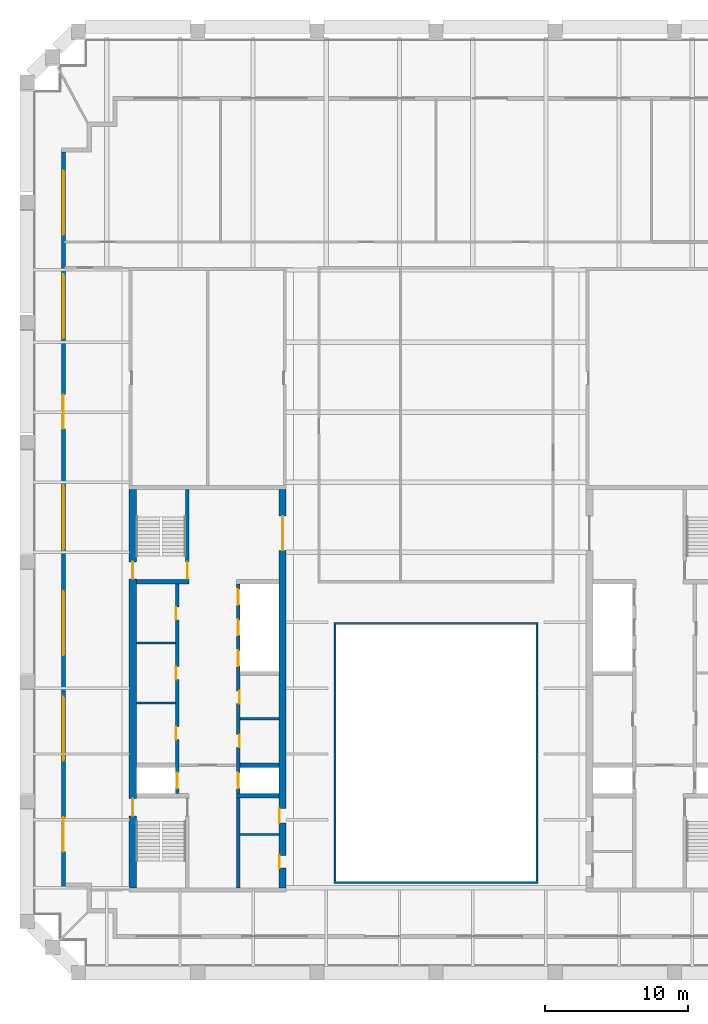
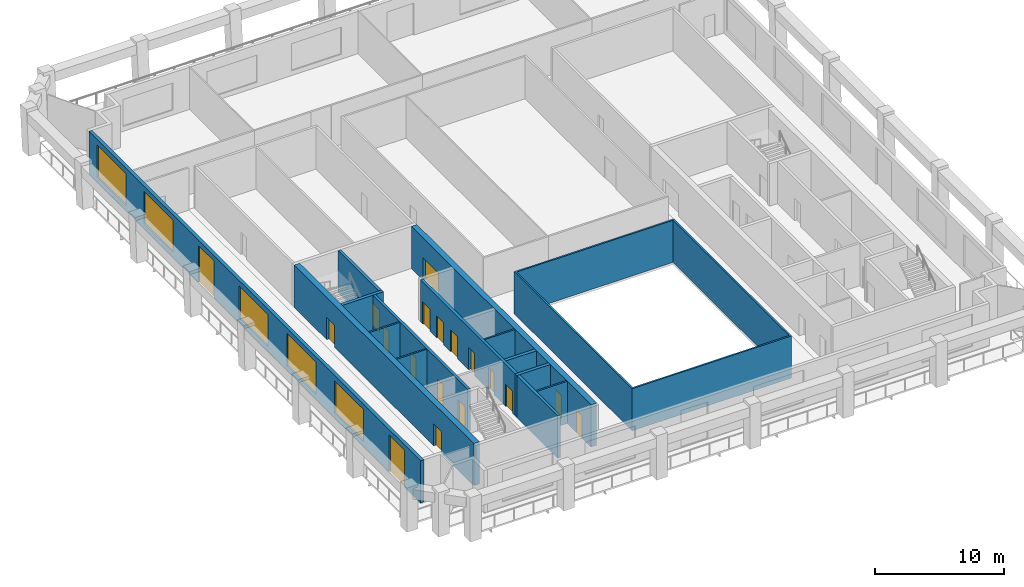
# One storey, part 3 of 8: 18 doors, 14 walls, 5 windows, 23 openings.
"""IFC4 building model written with IfcOpenShell, lengths in metres."""

import ifcopenshell
import ifcopenshell.guid

model = None  # the IFC model being written
_history = None  # IfcOwnerHistory: only IFC2X3 demands one
_inside = {}  # id of a spatial element -> (the spatial element, [elements in it])
_under = {}  # id of a project, library or spatial element -> (it, [spatial elements below it])
_declared = {}  # id of a project -> (the project, [libraries it declares])
_typed = {}  # id of a type object -> (the type object, [elements of that type])
_made_of = {}  # id of a material, layer set ... -> (it, [elements and type objects made of it])


def new_model(schema):
    """Start an empty IFC model of exactly this schema.

    Asked for "IFC4X3", IfcOpenShell would pick the latest addendum, in which some entities
    have other attributes; the version numbers below select the first issue.
    IFC2X3 requires an IfcOwnerHistory on every rooted entity: one is made here for all.
    """
    global model, _history
    if schema == "IFC4X3":
        model = ifcopenshell.file(schema_version=(4, 3, 0, 0))
    else:
        model = ifcopenshell.file(schema=schema)
    _inside.clear()
    _under.clear()
    _declared.clear()
    _typed.clear()
    _made_of.clear()
    _history = None
    if model.schema == "IFC2X3":
        org = make("IfcOrganization", Name="unknown")
        user = make(
            "IfcPersonAndOrganization",
            ThePerson=make("IfcPerson", FamilyName="unknown"),
            TheOrganization=org,
        )
        app = make(
            "IfcApplication",
            ApplicationDeveloper=org,
            Version="unknown",
            ApplicationFullName="unknown",
            ApplicationIdentifier="unknown",
        )
        _history = make(
            "IfcOwnerHistory",
            OwningUser=user,
            OwningApplication=app,
            ChangeAction="ADDED",
            CreationDate=0,
        )
    return model


def make(cls, **values):
    """One entity of the class cls with the attributes given. An attribute that is None is left unset."""
    return model.create_entity(
        cls, **{name: value for name, value in values.items() if value is not None}
    )


def rooted(cls, **values):
    """An entity with a GlobalId (a new one), such as an element, a storey or a relation."""
    return make(cls, GlobalId=ifcopenshell.guid.new(), OwnerHistory=_history, **values)


def si_unit(unit_type, name, prefix=None):
    """IfcSIUnit, for example si_unit("LENGTHUNIT", "METRE", prefix="MILLI")."""
    return make("IfcSIUnit", UnitType=unit_type, Prefix=prefix, Name=name)


def assignment(units):
    """IfcUnitAssignment: the units of a project."""
    return None if units is None else make("IfcUnitAssignment", Units=units)


def point(xyz):
    """IfcCartesianPoint."""
    return None if xyz is None else make("IfcCartesianPoint", Coordinates=xyz)


def direction(xyz):
    """IfcDirection."""
    return None if xyz is None else make("IfcDirection", DirectionRatios=xyz)


def frame(location, z_axis=None, x_axis=None):
    """IfcAxis2Placement3D, a coordinate frame: its origin and axes. An axis left out is left unset."""
    return make(
        "IfcAxis2Placement3D",
        Location=point(location),
        Axis=direction(z_axis),
        RefDirection=direction(x_axis),
    )


def frame_2d(location, x_axis=None):
    """IfcAxis2Placement2D, a coordinate frame in the plane: its origin and x axis."""
    return make(
        "IfcAxis2Placement2D", Location=point(location), RefDirection=direction(x_axis)
    )


def origin():
    """The frame at (0, 0, 0) with its axes left unset."""
    return frame((0.0, 0.0, 0.0))


def place(relative_to, where):
    """IfcLocalPlacement: puts the frame where relative to a parent placement (None: the world)."""
    return make(
        "IfcLocalPlacement", PlacementRelTo=relative_to, RelativePlacement=where
    )


def context(
    kind, dimensions, precision=None, world=None, true_north=None, identifier=None
):
    """IfcGeometricRepresentationContext, for example the 3D "Model" context."""
    return make(
        "IfcGeometricRepresentationContext",
        ContextIdentifier=identifier,
        ContextType=kind,
        CoordinateSpaceDimension=dimensions,
        Precision=precision,
        WorldCoordinateSystem=world,
        TrueNorth=true_north,
    )


def subcontext(parent, identifier, kind, view, scale=None):
    """IfcGeometricRepresentationSubContext, for example "Body" below "Model"."""
    return make(
        "IfcGeometricRepresentationSubContext",
        ContextIdentifier=identifier,
        ContextType=kind,
        ParentContext=parent,
        TargetScale=scale,
        TargetView=view,
    )


def project(units=None, contexts=None):
    """IfcProject with its units and contexts."""
    return rooted(
        "IfcProject",
        Name="project",
        RepresentationContexts=contexts,
        UnitsInContext=assignment(units),
    )


def spatial(cls, under=None, at=None, **own):
    """A site, building, storey or space (cls), placed at a placement, below another one or the project."""
    s = rooted(cls, ObjectPlacement=at, **own)
    if under is not None:
        _under.setdefault(under.id(), (under, []))[1].append(s)
    return s


def polyline(points):
    """IfcPolyline through the points."""
    return make("IfcPolyline", Points=[point(p) for p in points])


def profile(cls, at=None, kind="AREA", **sizes):
    """A parametric profile (cls). Its sizes go by their IFC names, for example OverallWidth=200.0."""
    return make(cls, ProfileType=kind, Position=at, **sizes)


def rectangle(**sizes):
    """IfcRectangleProfileDef."""
    return profile("IfcRectangleProfileDef", **sizes)


def outline(outer, holes=None, kind="AREA"):
    """IfcArbitraryClosedProfileDef: a profile drawn as a closed curve; with holes, ...WithVoids."""
    if holes is None:
        return make("IfcArbitraryClosedProfileDef", ProfileType=kind, OuterCurve=outer)
    return make(
        "IfcArbitraryProfileDefWithVoids",
        ProfileType=kind,
        OuterCurve=outer,
        InnerCurves=holes,
    )


def extrude(swept, where, along, depth):
    """IfcExtrudedAreaSolid: the profile swept, set in the frame where, extruded along a direction by depth."""
    return make(
        "IfcExtrudedAreaSolid",
        SweptArea=swept,
        Position=where,
        ExtrudedDirection=direction(along),
        Depth=depth,
    )


def shape(context_of_items, identifier, shape_type, items):
    """IfcShapeRepresentation: the items that make up one representation, for example the "Body"."""
    return make(
        "IfcShapeRepresentation",
        ContextOfItems=context_of_items,
        RepresentationIdentifier=identifier,
        RepresentationType=shape_type,
        Items=items,
    )


def material(Name=None, Category=None):
    """IfcMaterial."""
    return make("IfcMaterial", Name=Name, Category=Category)


def layer(
    of_material, thickness, ventilated=None, Name=None, Category=None, Priority=None
):
    """IfcMaterialLayer: one layer of a wall or slab, of a material (None: an air gap)."""
    return make(
        "IfcMaterialLayer",
        Material=of_material,
        LayerThickness=thickness,
        IsVentilated=ventilated,
        Name=Name,
        Category=Category,
        Priority=Priority,
    )


def layer_set(layers, Name=None):
    """IfcMaterialLayerSet."""
    return make("IfcMaterialLayerSet", MaterialLayers=layers, LayerSetName=Name)


def made_of(thing, what):
    """Note that an element or type object is made of a material, layer set ...; save() writes the relation."""
    if what is not None:
        _made_of.setdefault(what.id(), (what, []))[1].append(thing)
    return thing


def type_object(cls, material=None, **own):
    """A type object (cls), such as IfcWallType, which elements share."""
    return made_of(rooted(cls, **own), material)


def element(
    cls,
    number,
    at=None,
    inside=None,
    cuts=None,
    type_object=None,
    material=None,
    context=None,
    identifier="Body",
    shape_type=None,
    held_by="IfcProductDefinitionShape",
    body=None,
    shapes=None,
    **own,
):
    """One element of the class cls, such as IfcWall. Its Tag is "e" and its number.

    at: its placement. inside: the storey or other place that contains it. cuts: it is an
    opening in that element (IfcRelVoidsElement). A single representation is given by context,
    identifier, shape_type and body (its items); several are given by shapes. held_by: the class
    of the entity that holds the representations. save() writes the other relations.
    """
    e = rooted(cls, Tag="e%d" % number, ObjectPlacement=at, **own)
    if body is not None:
        shapes = [shape(context, identifier, shape_type, body)]
    if shapes is not None:
        e.Representation = make(held_by, Representations=shapes)
    if inside is not None:
        _inside.setdefault(inside.id(), (inside, []))[1].append(e)
    if cuts is not None:
        rooted(
            "IfcRelVoidsElement", RelatingBuildingElement=cuts, RelatedOpeningElement=e
        )
    if type_object is not None:
        _typed.setdefault(type_object.id(), (type_object, []))[1].append(e)
    return made_of(e, material)


def fill(opening, filler):
    """IfcRelFillsElement: the door or window that sits in an opening."""
    return rooted(
        "IfcRelFillsElement",
        RelatingOpeningElement=opening,
        RelatedBuildingElement=filler,
    )


def aggregate(whole, parts):
    """IfcRelAggregates: a whole, such as a stair, and the parts it consists of."""
    return rooted("IfcRelAggregates", RelatingObject=whole, RelatedObjects=parts)


def save(model, path):
    """Write the relations noted so far, then the file.

    IfcRelAggregates (storeys below a building ...), IfcRelContainedInSpatialStructure (elements
    in a storey), IfcRelDefinesByType, IfcRelAssociatesMaterial and IfcRelDeclares: one each for
    every whole, place, type object, material and project.
    """
    for whole, parts in _under.values():
        aggregate(whole, parts)
    for where, things in _inside.values():
        rooted(
            "IfcRelContainedInSpatialStructure",
            RelatedElements=things,
            RelatingStructure=where,
        )
    for kind, things in _typed.values():
        rooted("IfcRelDefinesByType", RelatedObjects=things, RelatingType=kind)
    for what, things in _made_of.values():
        rooted("IfcRelAssociatesMaterial", RelatedObjects=things, RelatingMaterial=what)
    for by, libraries in _declared.values():
        rooted("IfcRelDeclares", RelatingContext=by, RelatedDefinitions=libraries)
    model.write(path)


model = new_model("IFC4")

# Units and contexts
model_context = context("Model", 3, precision=1e-05, world=origin(), true_north=direction((0.0, 1.0)))
body_context = subcontext(model_context, "Body", "Model", "MODEL_VIEW")
ifc_project = project(units=[si_unit("LENGTHUNIT", "METRE"), si_unit("AREAUNIT", "SQUARE_METRE"), si_unit("VOLUMEUNIT", "CUBIC_METRE"), si_unit("PLANEANGLEUNIT", "RADIAN"), si_unit("MASSUNIT", "GRAM", prefix="KILO")], contexts=[model_context])

# Site, building, storey
site_placement = place(None, origin())
site = spatial("IfcSite", under=ifc_project, at=site_placement, CompositionType="ELEMENT")
building_placement = place(site_placement, origin())
building = spatial("IfcBuilding", under=site, at=building_placement, Name="Ogive Exchange Tower", CompositionType="ELEMENT")
storey_placement = place(building_placement, frame((0.0, 0.0, 325.800048828125)))
storey = spatial("IfcBuildingStorey", under=building, at=storey_placement, Name="L71", CompositionType="ELEMENT", Elevation=325.800048828125)

# Walls
ifc_material_1 = material(Name="Gypsum board partition")
ifc_layer_1 = layer(ifc_material_1, 0.14990234375)
ifc_layer_set_1 = layer_set([ifc_layer_1], Name="Core room partition 150 gypsum")
wall_type_1 = type_object("IfcWallType", Name="Core room partition 150 gypsum", PredefinedType="PARTITIONING", material=ifc_layer_set_1)
for number, where, z_axis, x_axis, name in (
    (1, (-21.0, 10.5, 0.0), (0.0, 0.0, 1.0), (1.0, 0.0, 0.0), "W row A bay partition 1-1"),
    (2, (-21.0, 14.699951171875, 0.0), (0.0, 0.0, 1.0), (1.0, 0.0, 0.0), "W row A bay partition 1-2"),
    (3, (-13.75, 9.39990234375, 0.0), (0.0, 0.0, 1.0), (1.0, 0.0, 0.0), "W row B bay partition 1-1"),
    (4, (-13.75, 1.300048828125, 0.0), (0.0, 0.0, 1.0), (1.0, 0.0, 0.0), "W south room partition"),
):
    element("IfcWall", number, at=place(storey_placement, frame(where, z_axis=z_axis, x_axis=x_axis)), inside=storey, type_object=wall_type_1, Name=name, PredefinedType="PARTITIONING", context=body_context, shape_type="SweptSolid", body=[
        extrude(rectangle(XDim=2.75, YDim=0.14990234375, at=frame_2d((1.375, 0.0))), origin(), (0.0, 0.0, 1.0), 4.0),
    ])
ifc_material_2 = material(Name="Fire-resisting glass in steel frame", Category="steel")
ifc_layer_2 = layer(ifc_material_2, 0.14990234375)
ifc_layer_set_2 = layer_set([ifc_layer_2], Name="Fire-rated glazed wall 150")
wall_type_2 = type_object("IfcWallType", Name="Fire-rated glazed wall 150", PredefinedType="STANDARD", material=ifc_layer_set_2)
wall_1_placement = place(storey_placement, origin())
element("IfcWall", 5, at=wall_1_placement, inside=storey, type_object=wall_type_2, Name="Nave enclosure wall", PredefinedType="STANDARD", context=body_context, shape_type="SweptSolid", body=[
    extrude(outline(polyline([(-7.14990234375, -2.14990234375), (7.14990234375, -2.14990234375), (7.14990234375, 16.14990234375), (-7.14990234375, 16.14990234375), (-7.14990234375, -2.14990234375)]), holes=[polyline([(-7.0, -2.0), (-7.0, 16.0), (7.0, 16.0), (7.0, -2.0), (-7.0, -2.0)])]), origin(), (0.0, 0.0, 1.0), 4.0),
])

# Wall, openings, doors, windows
ifc_material_3 = material(Name="Precast concrete C40/50", Category="concrete")
ifc_layer_3 = layer(ifc_material_3, 0.300048828125)
ifc_layer_set_3 = layer_set([ifc_layer_3], Name="Limestone-faced wall 300")
wall_type_3 = type_object("IfcWallType", Name="Limestone-faced wall 300", PredefinedType="STANDARD", material=ifc_layer_set_3)
wall_2_placement = place(storey_placement, frame((-26.10009765625, 49.10009765625, 0.0), z_axis=(0.0, 0.0, 1.0), x_axis=(0.0, -1.0, 0.0)))
wall_2 = element("IfcWall", 6, at=wall_2_placement, inside=storey, type_object=wall_type_3, Name="External wall W4", PredefinedType="STANDARD", context=body_context, shape_type="SweptSolid", body=[
    extrude(rectangle(XDim=51.5, YDim=0.300048828125, at=frame_2d((25.75, 0.0))), origin(), (0.0, 0.0, 1.0), 4.0),
])
opening_1_placement = place(wall_2_placement, frame((1.300048828125, 0.0, 0.449951171875)))
opening_1 = element("IfcOpeningElement", 7, at=opening_1_placement, cuts=wall_2, Name="Opening W1", PredefinedType="OPENING", context=body_context, shape_type="SweptSolid", body=[
    extrude(rectangle(XDim=4.5, YDim=3.050048828125, at=frame_2d((2.25, 1.52490234375))), frame((0.0, 0.159912109375, 0.0), z_axis=(0.0, -1.0, 0.0), x_axis=(1.0, 0.0, 0.0)), (0.0, 0.0, 1.0), 0.320068359375),
])
opening_2_placement = place(wall_2_placement, frame((8.550048828125, 0.0, 0.449951171875)))
opening_2 = element("IfcOpeningElement", 8, at=opening_2_placement, cuts=wall_2, Name="Opening W1", PredefinedType="OPENING", context=body_context, shape_type="SweptSolid", body=[
    extrude(rectangle(XDim=4.5, YDim=3.050048828125, at=frame_2d((2.25, 1.52490234375))), frame((0.0, 0.159912109375, 0.0), z_axis=(0.0, -1.0, 0.0), x_axis=(1.0, 0.0, 0.0)), (0.0, 0.0, 1.0), 0.320068359375),
])
opening_3_placement = place(wall_2_placement, frame((17.0, 0.0, 0.0)))
opening_3 = element("IfcOpeningElement", 9, at=opening_3_placement, cuts=wall_2, Name="Opening D1", PredefinedType="OPENING", context=body_context, shape_type="SweptSolid", body=[
    extrude(rectangle(XDim=2.39990234375, YDim=3.5, at=frame_2d((1.199951171875, 1.75))), frame((0.0, 0.159912109375, 0.0), z_axis=(0.0, -1.0, 0.0), x_axis=(1.0, 0.0, 0.0)), (0.0, 0.0, 1.0), 0.320068359375),
])
opening_4_placement = place(wall_2_placement, frame((23.35009765625, 0.0, 0.449951171875)))
opening_4 = element("IfcOpeningElement", 10, at=opening_4_placement, cuts=wall_2, Name="Opening W1", PredefinedType="OPENING", context=body_context, shape_type="SweptSolid", body=[
    extrude(rectangle(XDim=4.5, YDim=3.050048828125, at=frame_2d((2.25, 1.52490234375))), frame((0.0, 0.159912109375, 0.0), z_axis=(0.0, -1.0, 0.0), x_axis=(1.0, 0.0, 0.0)), (0.0, 0.0, 1.0), 0.320068359375),
])
opening_5_placement = place(wall_2_placement, frame((30.75, 0.0, 0.449951171875)))
opening_5 = element("IfcOpeningElement", 11, at=opening_5_placement, cuts=wall_2, Name="Opening W1", PredefinedType="OPENING", context=body_context, shape_type="SweptSolid", body=[
    extrude(rectangle(XDim=4.5, YDim=3.050048828125, at=frame_2d((2.25, 1.52490234375))), frame((0.0, 0.159912109375, 0.0), z_axis=(0.0, -1.0, 0.0), x_axis=(1.0, 0.0, 0.0)), (0.0, 0.0, 1.0), 0.320068359375),
])
opening_6_placement = place(wall_2_placement, frame((38.14990234375, 0.0, 0.449951171875)))
opening_6 = element("IfcOpeningElement", 12, at=opening_6_placement, cuts=wall_2, Name="Opening W1", PredefinedType="OPENING", context=body_context, shape_type="SweptSolid", body=[
    extrude(rectangle(XDim=4.5, YDim=3.050048828125, at=frame_2d((2.25, 1.52490234375))), frame((0.0, 0.159912109375, 0.0), z_axis=(0.0, -1.0, 0.0), x_axis=(1.0, 0.0, 0.0)), (0.0, 0.0, 1.0), 0.320068359375),
])
opening_7_placement = place(wall_2_placement, frame((46.60009765625, 0.0, 0.0)))
opening_7 = element("IfcOpeningElement", 13, at=opening_7_placement, cuts=wall_2, Name="Opening D1", PredefinedType="OPENING", context=body_context, shape_type="SweptSolid", body=[
    extrude(rectangle(XDim=2.39990234375, YDim=3.5, at=frame_2d((1.199951171875, 1.75))), frame((0.0, 0.159912109375, 0.0), z_axis=(0.0, -1.0, 0.0), x_axis=(1.0, 0.0, 0.0)), (0.0, 0.0, 1.0), 0.320068359375),
])
ifc_material_4 = material(Name="Clear glass in bronze frame", Category="glass")
door_type_1 = type_object("IfcDoorType", Name="Sliding loggia door 2400 x 3500", OperationType="DOUBLE_DOOR_SLIDING", PredefinedType="DOOR", material=ifc_material_4)
door_1_placement = place(opening_3_placement, origin())
door_1 = element("IfcDoor", 14, at=door_1_placement, inside=storey, type_object=door_type_1, Name="Loggia door W02", OperationType="DOUBLE_DOOR_SLIDING", OverallHeight=3.5, OverallWidth=2.39990234375, PredefinedType="DOOR", context=body_context, shape_type="SweptSolid", body=[
    extrude(rectangle(XDim=2.39990234375, YDim=3.5, at=frame_2d((1.199951171875, 1.75))), frame((0.0, 0.02490234375, 0.0), z_axis=(0.0, -1.0, 0.0), x_axis=(1.0, 0.0, 0.0)), (0.0, 0.0, 1.0), 0.050048828125),
])
fill(opening_3, door_1)
door_2_placement = place(opening_7_placement, origin())
door_2 = element("IfcDoor", 15, at=door_2_placement, inside=storey, type_object=door_type_1, Name="Loggia door W06", OperationType="DOUBLE_DOOR_SLIDING", OverallHeight=3.5, OverallWidth=2.39990234375, PredefinedType="DOOR", context=body_context, shape_type="SweptSolid", body=[
    extrude(rectangle(XDim=2.39990234375, YDim=3.5, at=frame_2d((1.199951171875, 1.75))), frame((0.0, 0.02490234375, 0.0), z_axis=(0.0, -1.0, 0.0), x_axis=(1.0, 0.0, 0.0)), (0.0, 0.0, 1.0), 0.050048828125),
])
fill(opening_7, door_2)
window_type = type_object("IfcWindowType", Name="Twin lancet window 4500 x 3050", PartitioningType="DOUBLE_PANEL_VERTICAL", PredefinedType="WINDOW", material=ifc_material_4)
window_1_placement = place(opening_1_placement, origin())
window_1 = element("IfcWindow", 16, at=window_1_placement, inside=storey, type_object=window_type, Name="Window W00", OverallHeight=3.050048828125, OverallWidth=4.5, PartitioningType="DOUBLE_PANEL_VERTICAL", PredefinedType="WINDOW", context=body_context, shape_type="SweptSolid", body=[
    extrude(rectangle(XDim=4.5, YDim=3.050048828125, at=frame_2d((2.25, 1.52490234375))), frame((0.0, 0.030029296875, 0.0), z_axis=(0.0, -1.0, 0.0), x_axis=(1.0, 0.0, 0.0)), (0.0, 0.0, 1.0), 0.06005859375),
])
fill(opening_1, window_1)
window_2_placement = place(opening_2_placement, origin())
window_2 = element("IfcWindow", 17, at=window_2_placement, inside=storey, type_object=window_type, Name="Window W01", OverallHeight=3.050048828125, OverallWidth=4.5, PartitioningType="DOUBLE_PANEL_VERTICAL", PredefinedType="WINDOW", context=body_context, shape_type="SweptSolid", body=[
    extrude(rectangle(XDim=4.5, YDim=3.050048828125, at=frame_2d((2.25, 1.52490234375))), frame((0.0, 0.030029296875, 0.0), z_axis=(0.0, -1.0, 0.0), x_axis=(1.0, 0.0, 0.0)), (0.0, 0.0, 1.0), 0.06005859375),
])
fill(opening_2, window_2)
window_3_placement = place(opening_4_placement, origin())
window_3 = element("IfcWindow", 18, at=window_3_placement, inside=storey, type_object=window_type, Name="Window W03", OverallHeight=3.050048828125, OverallWidth=4.5, PartitioningType="DOUBLE_PANEL_VERTICAL", PredefinedType="WINDOW", context=body_context, shape_type="SweptSolid", body=[
    extrude(rectangle(XDim=4.5, YDim=3.050048828125, at=frame_2d((2.25, 1.52490234375))), frame((0.0, 0.030029296875, 0.0), z_axis=(0.0, -1.0, 0.0), x_axis=(1.0, 0.0, 0.0)), (0.0, 0.0, 1.0), 0.06005859375),
])
fill(opening_4, window_3)
window_4_placement = place(opening_5_placement, origin())
window_4 = element("IfcWindow", 19, at=window_4_placement, inside=storey, type_object=window_type, Name="Window W04", OverallHeight=3.050048828125, OverallWidth=4.5, PartitioningType="DOUBLE_PANEL_VERTICAL", PredefinedType="WINDOW", context=body_context, shape_type="SweptSolid", body=[
    extrude(rectangle(XDim=4.5, YDim=3.050048828125, at=frame_2d((2.25, 1.52490234375))), frame((0.0, 0.030029296875, 0.0), z_axis=(0.0, -1.0, 0.0), x_axis=(1.0, 0.0, 0.0)), (0.0, 0.0, 1.0), 0.06005859375),
])
fill(opening_5, window_4)
window_5_placement = place(opening_6_placement, origin())
window_5 = element("IfcWindow", 20, at=window_5_placement, inside=storey, type_object=window_type, Name="Window W05", OverallHeight=3.050048828125, OverallWidth=4.5, PartitioningType="DOUBLE_PANEL_VERTICAL", PredefinedType="WINDOW", context=body_context, shape_type="SweptSolid", body=[
    extrude(rectangle(XDim=4.5, YDim=3.050048828125, at=frame_2d((2.25, 1.52490234375))), frame((0.0, 0.030029296875, 0.0), z_axis=(0.0, -1.0, 0.0), x_axis=(1.0, 0.0, 0.0)), (0.0, 0.0, 1.0), 0.06005859375),
])
fill(opening_6, window_5)

# Wall, opening, door
ifc_material_5 = material(Name="Concrete C70/85", Category="concrete")
ifc_layer_4 = layer(ifc_material_5, 0.25)
ifc_layer_set_4 = layer_set([ifc_layer_4], Name="RC core wall 250 C70/85")
wall_type_4 = type_object("IfcWallType", Name="RC core wall 250 C70/85", PredefinedType="SHEAR", material=ifc_layer_set_4)
wall_3_placement = place(storey_placement, frame((-17.425048828125, 19.14990234375, 0.0), z_axis=(0.0, 0.0, 1.0), x_axis=(0.0, 1.0, 0.0)))
wall_3 = element("IfcWall", 21, at=wall_3_placement, inside=storey, type_object=wall_type_4, Name="W stair N front wall", PredefinedType="SHEAR", context=body_context, shape_type="SweptSolid", body=[
    extrude(rectangle(XDim=6.300048828125, YDim=0.25, at=frame_2d((3.14990234375, 0.0))), origin(), (0.0, 0.0, 1.0), 4.0),
])
opening_8_placement = place(wall_3_placement, frame((0.050048828125, 0.0, 0.0)))
opening_8 = element("IfcOpeningElement", 22, at=opening_8_placement, cuts=wall_3, Name="Opening L71-C15", PredefinedType="OPENING", context=body_context, shape_type="SweptSolid", body=[
    extrude(rectangle(XDim=1.199951171875, YDim=2.10009765625, at=frame_2d((0.60009765625, 1.050048828125))), frame((0.0, 0.135009765625, 0.0), z_axis=(0.0, -1.0, 0.0), x_axis=(1.0, 0.0, 0.0)), (0.0, 0.0, 1.0), 0.27001953125),
])
ifc_material_6 = material(Name="Steel fire door", Category="steel")
door_type_2 = type_object("IfcDoorType", Name="Stair door FD90 1200 x 2100", OperationType="NOTDEFINED", PredefinedType="DOOR", material=ifc_material_6)
door_3_placement = place(opening_8_placement, origin())
door_3 = element("IfcDoor", 23, at=door_3_placement, inside=storey, type_object=door_type_2, Name="Stair door", ObjectType="CD5", OperationType="SINGLE_SWING_RIGHT", OverallHeight=2.10009765625, OverallWidth=1.199951171875, PredefinedType="DOOR", context=body_context, shape_type="SweptSolid", body=[
    extrude(rectangle(XDim=1.199951171875, YDim=2.10009765625, at=frame_2d((0.60009765625, 1.050048828125))), frame((0.0, 0.02490234375, 0.0), z_axis=(0.0, -1.0, 0.0), x_axis=(1.0, 0.0, 0.0)), (0.0, 0.0, 1.0), 0.050048828125),
])
fill(opening_8, door_3)

# Wall, openings, doors
wall_4_placement = place(storey_placement, frame((-18.125, 4.14990234375, 0.0), z_axis=(0.0, 0.0, 1.0), x_axis=(0.0, 1.0, 0.0)))
wall_4 = element("IfcWall", 24, at=wall_4_placement, inside=storey, type_object=wall_type_4, Name="W row A front wall", PredefinedType="SHEAR", context=body_context, shape_type="SweptSolid", body=[
    extrude(rectangle(XDim=14.7001953125, YDim=0.25, at=frame_2d((7.35009765625, 0.0))), origin(), (0.0, 0.0, 1.0), 4.0),
])
opening_9_placement = place(wall_4_placement, frame((3.79638671875, 0.0, 0.0)))
opening_9 = element("IfcOpeningElement", 25, at=opening_9_placement, cuts=wall_4, Name="Opening L71-C01", PredefinedType="OPENING", context=body_context, shape_type="SweptSolid", body=[
    extrude(rectangle(XDim=0.89990234375, YDim=2.10009765625, at=frame_2d((0.449951171875, 1.050048828125))), frame((0.0, 0.135009765625, 0.0), z_axis=(0.0, -1.0, 0.0), x_axis=(1.0, 0.0, 0.0)), (0.0, 0.0, 1.0), 0.27001953125),
])
opening_10_placement = place(wall_4_placement, frame((8.0, 0.0, 0.0)))
opening_10 = element("IfcOpeningElement", 26, at=opening_10_placement, cuts=wall_4, Name="Opening L71-C02", PredefinedType="OPENING", context=body_context, shape_type="SweptSolid", body=[
    extrude(rectangle(XDim=0.89990234375, YDim=2.10009765625, at=frame_2d((0.449951171875, 1.050048828125))), frame((0.0, 0.135009765625, 0.0), z_axis=(0.0, -1.0, 0.0), x_axis=(1.0, 0.0, 0.0)), (0.0, 0.0, 1.0), 0.27001953125),
])
opening_11_placement = place(wall_4_placement, frame((12.175048828125, 0.0, 0.0)))
opening_11 = element("IfcOpeningElement", 27, at=opening_11_placement, cuts=wall_4, Name="Opening L71-C03", PredefinedType="OPENING", context=body_context, shape_type="SweptSolid", body=[
    extrude(rectangle(XDim=0.89990234375, YDim=2.10009765625, at=frame_2d((0.449951171875, 1.050048828125))), frame((0.0, 0.135009765625, 0.0), z_axis=(0.0, -1.0, 0.0), x_axis=(1.0, 0.0, 0.0)), (0.0, 0.0, 1.0), 0.27001953125),
])
opening_12_placement = place(wall_4_placement, frame((0.371337890625, 0.0, 0.0)))
opening_12 = element("IfcOpeningElement", 28, at=opening_12_placement, cuts=wall_4, Name="Opening L71-C04", PredefinedType="OPENING", context=body_context, shape_type="SweptSolid", body=[
    extrude(rectangle(XDim=1.10009765625, YDim=2.10009765625, at=frame_2d((0.550048828125, 1.050048828125))), frame((0.0, 0.135009765625, 0.0), z_axis=(0.0, -1.0, 0.0), x_axis=(1.0, 0.0, 0.0)), (0.0, 0.0, 1.0), 0.27001953125),
])
ifc_material_7 = material(Name="Stainless steel", Category="steel")
door_type_3 = type_object("IfcDoorType", Name="Lift landing door FD90 1100 x 2100", OperationType="SLIDING_TO_LEFT", PredefinedType="DOOR", material=ifc_material_7)
door_4_placement = place(opening_12_placement, origin())
door_4 = element("IfcDoor", 29, at=door_4_placement, inside=storey, type_object=door_type_3, Name="Lift landing door FF1", ObjectType="LD", OperationType="SLIDING_TO_LEFT", OverallHeight=2.10009765625, OverallWidth=1.10009765625, PredefinedType="DOOR", context=body_context, shape_type="SweptSolid", body=[
    extrude(rectangle(XDim=1.10009765625, YDim=2.10009765625, at=frame_2d((0.550048828125, 1.050048828125))), frame((0.0, 0.02490234375, 0.0), z_axis=(0.0, -1.0, 0.0), x_axis=(1.0, 0.0, 0.0)), (0.0, 0.0, 1.0), 0.050048828125),
])
fill(opening_12, door_4)
door_type_4 = type_object("IfcDoorType", Name="Riser door FD60 900 x 2100", OperationType="NOTDEFINED", PredefinedType="DOOR", material=ifc_material_6)
door_5_placement = place(opening_9_placement, origin())
door_5 = element("IfcDoor", 30, at=door_5_placement, inside=storey, type_object=door_type_4, Name="Riser door", ObjectType="CD2", OperationType="SINGLE_SWING_LEFT", OverallHeight=2.10009765625, OverallWidth=0.89990234375, PredefinedType="DOOR", context=body_context, shape_type="SweptSolid", body=[
    extrude(rectangle(XDim=0.89990234375, YDim=2.10009765625, at=frame_2d((0.449951171875, 1.050048828125))), frame((0.0, 0.125, 0.0), z_axis=(0.0, -1.0, 0.0), x_axis=(1.0, 0.0, 0.0)), (0.0, 0.0, 1.0), 0.050048828125),
])
fill(opening_9, door_5)
door_6_placement = place(opening_10_placement, origin())
door_6 = element("IfcDoor", 31, at=door_6_placement, inside=storey, type_object=door_type_4, Name="Riser door", ObjectType="CD2", OperationType="SINGLE_SWING_LEFT", OverallHeight=2.10009765625, OverallWidth=0.89990234375, PredefinedType="DOOR", context=body_context, shape_type="SweptSolid", body=[
    extrude(rectangle(XDim=0.89990234375, YDim=2.10009765625, at=frame_2d((0.449951171875, 1.050048828125))), frame((0.0, 0.125, 0.0), z_axis=(0.0, -1.0, 0.0), x_axis=(1.0, 0.0, 0.0)), (0.0, 0.0, 1.0), 0.050048828125),
])
fill(opening_10, door_6)
door_7_placement = place(opening_11_placement, origin())
door_7 = element("IfcDoor", 32, at=door_7_placement, inside=storey, type_object=door_type_4, Name="Riser door", ObjectType="CD2", OperationType="SINGLE_SWING_LEFT", OverallHeight=2.10009765625, OverallWidth=0.89990234375, PredefinedType="DOOR", context=body_context, shape_type="SweptSolid", body=[
    extrude(rectangle(XDim=0.89990234375, YDim=2.10009765625, at=frame_2d((0.449951171875, 1.050048828125))), frame((0.0, 0.125, 0.0), z_axis=(0.0, -1.0, 0.0), x_axis=(1.0, 0.0, 0.0)), (0.0, 0.0, 1.0), 0.050048828125),
])
fill(opening_11, door_7)

wall_5_placement = place(storey_placement, frame((-13.875, -2.449951171875, 0.0), z_axis=(0.0, 0.0, 1.0), x_axis=(0.0, 1.0, 0.0)))
wall_5 = element("IfcWall", 33, at=wall_5_placement, inside=storey, type_object=wall_type_4, Name="W row B front wall", PredefinedType="SHEAR", context=body_context, shape_type="SweptSolid", body=[
    extrude(rectangle(XDim=21.300048828125, YDim=0.25, at=frame_2d((10.64990234375, 0.0))), origin(), (0.0, 0.0, 1.0), 4.0),
])
opening_13_placement = place(wall_5_placement, frame((9.846435546875, 0.0, 0.0)))
opening_13 = element("IfcOpeningElement", 34, at=opening_13_placement, cuts=wall_5, Name="Opening L71-C05", PredefinedType="OPENING", context=body_context, shape_type="SweptSolid", body=[
    extrude(rectangle(XDim=0.89990234375, YDim=2.10009765625, at=frame_2d((0.449951171875, 1.050048828125))), frame((0.0, 0.135009765625, 0.0), z_axis=(0.0, -1.0, 0.0), x_axis=(1.0, 0.0, 0.0)), (0.0, 0.0, 1.0), 0.27001953125),
])
opening_14_placement = place(wall_5_placement, frame((12.91064453125, 0.0, 0.0)))
opening_14 = element("IfcOpeningElement", 35, at=opening_14_placement, cuts=wall_5, Name="Opening L71-C06", PredefinedType="OPENING", context=body_context, shape_type="SweptSolid", body=[
    extrude(rectangle(XDim=0.89990234375, YDim=2.10009765625, at=frame_2d((0.449951171875, 1.050048828125))), frame((0.0, 0.135009765625, 0.0), z_axis=(0.0, -1.0, 0.0), x_axis=(1.0, 0.0, 0.0)), (0.0, 0.0, 1.0), 0.27001953125),
])
opening_15_placement = place(wall_5_placement, frame((6.971435546875, 0.0, 0.0)))
opening_15 = element("IfcOpeningElement", 36, at=opening_15_placement, cuts=wall_5, Name="Opening L71-C07", PredefinedType="OPENING", context=body_context, shape_type="SweptSolid", body=[
    extrude(rectangle(XDim=1.10009765625, YDim=2.10009765625, at=frame_2d((0.550048828125, 1.050048828125))), frame((0.0, 0.135009765625, 0.0), z_axis=(0.0, -1.0, 0.0), x_axis=(1.0, 0.0, 0.0)), (0.0, 0.0, 1.0), 0.27001953125),
])
opening_16_placement = place(wall_5_placement, frame((15.54296875, 0.0, 0.0)))
opening_16 = element("IfcOpeningElement", 37, at=opening_16_placement, cuts=wall_5, Name="Opening L71-C08", PredefinedType="OPENING", context=body_context, shape_type="SweptSolid", body=[
    extrude(rectangle(XDim=1.10009765625, YDim=2.10009765625, at=frame_2d((0.550048828125, 1.050048828125))), frame((0.0, 0.135009765625, 0.0), z_axis=(0.0, -1.0, 0.0), x_axis=(1.0, 0.0, 0.0)), (0.0, 0.0, 1.0), 0.27001953125),
])
opening_17_placement = place(wall_5_placement, frame((17.685791015625, 0.0, 0.0)))
opening_17 = element("IfcOpeningElement", 38, at=opening_17_placement, cuts=wall_5, Name="Opening L71-C09", PredefinedType="OPENING", context=body_context, shape_type="SweptSolid", body=[
    extrude(rectangle(XDim=1.10009765625, YDim=2.10009765625, at=frame_2d((0.550048828125, 1.050048828125))), frame((0.0, 0.135009765625, 0.0), z_axis=(0.0, -1.0, 0.0), x_axis=(1.0, 0.0, 0.0)), (0.0, 0.0, 1.0), 0.27001953125),
])
opening_18_placement = place(wall_5_placement, frame((19.82861328125, 0.0, 0.0)))
opening_18 = element("IfcOpeningElement", 39, at=opening_18_placement, cuts=wall_5, Name="Opening L71-C10", PredefinedType="OPENING", context=body_context, shape_type="SweptSolid", body=[
    extrude(rectangle(XDim=1.10009765625, YDim=2.10009765625, at=frame_2d((0.550048828125, 1.050048828125))), frame((0.0, 0.135009765625, 0.0), z_axis=(0.0, -1.0, 0.0), x_axis=(1.0, 0.0, 0.0)), (0.0, 0.0, 1.0), 0.27001953125),
])
ifc_material_8 = material(Name="Timber fire door", Category="wood")
door_type_5 = type_object("IfcDoorType", Name="Core room door FD30S 900 x 2100", OperationType="NOTDEFINED", PredefinedType="DOOR", material=ifc_material_8)
door_8_placement = place(opening_13_placement, frame((0.89990234375, -0.2001953125, 0.0), z_axis=(0.0, 0.0, 1.0), x_axis=(-1.0, 0.0, 0.0)))
door_8 = element("IfcDoor", 40, at=door_8_placement, inside=storey, type_object=door_type_5, Name="Core room door", ObjectType="CD6", OperationType="SINGLE_SWING_LEFT", OverallHeight=2.10009765625, OverallWidth=0.89990234375, PredefinedType="DOOR", context=body_context, shape_type="SweptSolid", body=[
    extrude(rectangle(XDim=0.89990234375, YDim=2.10009765625, at=frame_2d((0.449951171875, 1.050048828125))), frame((0.0, -0.0751953125, 0.0), z_axis=(0.0, -1.0, 0.0), x_axis=(1.0, 0.0, 0.0)), (0.0, 0.0, 1.0), 0.050048828125),
])
fill(opening_13, door_8)
door_9_placement = place(opening_15_placement, origin())
door_9 = element("IfcDoor", 41, at=door_9_placement, inside=storey, type_object=door_type_3, Name="Lift landing door SV1", ObjectType="LD", OperationType="SLIDING_TO_LEFT", OverallHeight=2.10009765625, OverallWidth=1.10009765625, PredefinedType="DOOR", context=body_context, shape_type="SweptSolid", body=[
    extrude(rectangle(XDim=1.10009765625, YDim=2.10009765625, at=frame_2d((0.550048828125, 1.050048828125))), frame((0.0, 0.02490234375, 0.0), z_axis=(0.0, -1.0, 0.0), x_axis=(1.0, 0.0, 0.0)), (0.0, 0.0, 1.0), 0.050048828125),
])
fill(opening_15, door_9)
door_10_placement = place(opening_16_placement, origin())
door_10 = element("IfcDoor", 42, at=door_10_placement, inside=storey, type_object=door_type_3, Name="Lift landing door W-H1", ObjectType="LD", OperationType="SLIDING_TO_LEFT", OverallHeight=2.10009765625, OverallWidth=1.10009765625, PredefinedType="DOOR", context=body_context, shape_type="SweptSolid", body=[
    extrude(rectangle(XDim=1.10009765625, YDim=2.10009765625, at=frame_2d((0.550048828125, 1.050048828125))), frame((0.0, 0.02490234375, 0.0), z_axis=(0.0, -1.0, 0.0), x_axis=(1.0, 0.0, 0.0)), (0.0, 0.0, 1.0), 0.050048828125),
])
fill(opening_16, door_10)
door_11_placement = place(opening_17_placement, origin())
door_11 = element("IfcDoor", 43, at=door_11_placement, inside=storey, type_object=door_type_3, Name="Lift landing door W-H2", ObjectType="LD", OperationType="SLIDING_TO_LEFT", OverallHeight=2.10009765625, OverallWidth=1.10009765625, PredefinedType="DOOR", context=body_context, shape_type="SweptSolid", body=[
    extrude(rectangle(XDim=1.10009765625, YDim=2.10009765625, at=frame_2d((0.550048828125, 1.050048828125))), frame((0.0, 0.02490234375, 0.0), z_axis=(0.0, -1.0, 0.0), x_axis=(1.0, 0.0, 0.0)), (0.0, 0.0, 1.0), 0.050048828125),
])
fill(opening_17, door_11)
door_12_placement = place(opening_18_placement, origin())
door_12 = element("IfcDoor", 44, at=door_12_placement, inside=storey, type_object=door_type_3, Name="Lift landing door W-H3", ObjectType="LD", OperationType="SLIDING_TO_LEFT", OverallHeight=2.10009765625, OverallWidth=1.10009765625, PredefinedType="DOOR", context=body_context, shape_type="SweptSolid", body=[
    extrude(rectangle(XDim=1.10009765625, YDim=2.10009765625, at=frame_2d((0.550048828125, 1.050048828125))), frame((0.0, 0.02490234375, 0.0), z_axis=(0.0, -1.0, 0.0), x_axis=(1.0, 0.0, 0.0)), (0.0, 0.0, 1.0), 0.050048828125),
])
fill(opening_18, door_12)
door_13_placement = place(opening_14_placement, frame((0.89990234375, -0.2001953125, 0.0), z_axis=(0.0, 0.0, 1.0), x_axis=(-1.0, 0.0, 0.0)))
door_13 = element("IfcDoor", 45, at=door_13_placement, inside=storey, type_object=door_type_4, Name="Riser door", ObjectType="CD2", OperationType="SINGLE_SWING_LEFT", OverallHeight=2.10009765625, OverallWidth=0.89990234375, PredefinedType="DOOR", context=body_context, shape_type="SweptSolid", body=[
    extrude(rectangle(XDim=0.89990234375, YDim=2.10009765625, at=frame_2d((0.449951171875, 1.050048828125))), frame((0.0, -0.0751953125, 0.0), z_axis=(0.0, -1.0, 0.0), x_axis=(1.0, 0.0, 0.0)), (0.0, 0.0, 1.0), 0.050048828125),
])
fill(opening_14, door_13)

# Walls
ifc_layer_5 = layer(ifc_material_5, 0.300048828125)
ifc_layer_set_5 = layer_set([ifc_layer_5], Name="RC core wall 300 C70/85")
wall_type_5 = type_object("IfcWallType", Name="RC core wall 300 C70/85", PredefinedType="SHEAR", material=ifc_layer_set_5)
wall_6_placement = place(storey_placement, frame((-21.0, 19.0, 0.0), z_axis=(0.0, 0.0, 1.0), x_axis=(1.0, 0.0, 0.0)))
element("IfcWall", 46, at=wall_6_placement, inside=storey, type_object=wall_type_5, Name="W stair N south wall", PredefinedType="SHEAR", context=body_context, shape_type="SweptSolid", body=[
    extrude(rectangle(XDim=3.699951171875, YDim=0.300048828125, at=frame_2d((1.85009765625, 0.0))), origin(), (0.0, 0.0, 1.0), 4.0),
])
wall_7_placement = place(storey_placement, frame((-14.0, 4.0, 0.0), z_axis=(0.0, 0.0, 1.0), x_axis=(1.0, 0.0, 0.0)))
element("IfcWall", 47, at=wall_7_placement, inside=storey, type_object=wall_type_5, Name="W row B divider 0", PredefinedType="SHEAR", context=body_context, shape_type="SweptSolid", body=[
    extrude(rectangle(XDim=3.0, YDim=0.300048828125, at=frame_2d((1.5, 0.0))), origin(), (0.0, 0.0, 1.0), 4.0),
])
wall_8_placement = place(storey_placement, frame((-13.75, 6.142822265625, 0.0), z_axis=(0.0, 0.0, 1.0), x_axis=(1.0, 0.0, 0.0)))
element("IfcWall", 48, at=wall_8_placement, inside=storey, type_object=wall_type_5, Name="W row B divider 1", PredefinedType="SHEAR", context=body_context, shape_type="SweptSolid", body=[
    extrude(rectangle(XDim=2.75, YDim=0.300048828125, at=frame_2d((1.375, 0.0))), origin(), (0.0, 0.0, 1.0), 4.0),
])

# Wall, openings, doors
ifc_layer_6 = layer(ifc_material_5, 0.5)
ifc_layer_set_6 = layer_set([ifc_layer_6], Name="RC core wall 500 C70/85")
wall_type_6 = type_object("IfcWallType", Name="RC core wall 500 C70/85", PredefinedType="SHEAR", material=ifc_layer_set_6)
wall_9_placement = place(storey_placement, frame((-21.25, -2.449951171875, 0.0), z_axis=(0.0, 0.0, 1.0), x_axis=(0.0, 1.0, 0.0)))
wall_9 = element("IfcWall", 49, at=wall_9_placement, inside=storey, type_object=wall_type_6, Name="W outer wall", PredefinedType="SHEAR", context=body_context, shape_type="SweptSolid", body=[
    extrude(rectangle(XDim=27.89990234375, YDim=0.5, at=frame_2d((13.949951171875, 0.0))), origin(), (0.0, 0.0, 1.0), 4.0),
])
opening_19_placement = place(wall_9_placement, frame((5.050048828125, 0.0, 0.0)))
opening_19 = element("IfcOpeningElement", 50, at=opening_19_placement, cuts=wall_9, Name="Opening L71-C14", PredefinedType="OPENING", context=body_context, shape_type="SweptSolid", body=[
    extrude(rectangle(XDim=1.199951171875, YDim=2.10009765625, at=frame_2d((0.60009765625, 1.050048828125))), frame((0.0, 0.260009765625, 0.0), z_axis=(0.0, -1.0, 0.0), x_axis=(1.0, 0.0, 0.0)), (0.0, 0.0, 1.0), 0.52001953125),
])
opening_20_placement = place(wall_9_placement, frame((21.64990234375, 0.0, 0.0)))
opening_20 = element("IfcOpeningElement", 51, at=opening_20_placement, cuts=wall_9, Name="Opening L71-C16", PredefinedType="OPENING", context=body_context, shape_type="SweptSolid", body=[
    extrude(rectangle(XDim=1.199951171875, YDim=2.10009765625, at=frame_2d((0.60009765625, 1.050048828125))), frame((0.0, 0.260009765625, 0.0), z_axis=(0.0, -1.0, 0.0), x_axis=(1.0, 0.0, 0.0)), (0.0, 0.0, 1.0), 0.52001953125),
])
door_14_placement = place(opening_19_placement, origin())
door_14 = element("IfcDoor", 52, at=door_14_placement, inside=storey, type_object=door_type_2, Name="Stair door", ObjectType="CD5", OperationType="SINGLE_SWING_LEFT", OverallHeight=2.10009765625, OverallWidth=1.199951171875, PredefinedType="DOOR", context=body_context, shape_type="SweptSolid", body=[
    extrude(rectangle(XDim=1.199951171875, YDim=2.10009765625, at=frame_2d((0.60009765625, 1.050048828125))), frame((0.0, 0.02490234375, 0.0), z_axis=(0.0, -1.0, 0.0), x_axis=(1.0, 0.0, 0.0)), (0.0, 0.0, 1.0), 0.050048828125),
])
fill(opening_19, door_14)
door_15_placement = place(opening_20_placement, origin())
door_15 = element("IfcDoor", 53, at=door_15_placement, inside=storey, type_object=door_type_2, Name="Stair door", ObjectType="CD5", OperationType="SINGLE_SWING_LEFT", OverallHeight=2.10009765625, OverallWidth=1.199951171875, PredefinedType="DOOR", context=body_context, shape_type="SweptSolid", body=[
    extrude(rectangle(XDim=1.199951171875, YDim=2.10009765625, at=frame_2d((0.60009765625, 1.050048828125))), frame((0.0, 0.02490234375, 0.0), z_axis=(0.0, -1.0, 0.0), x_axis=(1.0, 0.0, 0.0)), (0.0, 0.0, 1.0), 0.050048828125),
])
fill(opening_20, door_15)

wall_10_placement = place(storey_placement, frame((-10.75, -2.449951171875, 0.0), z_axis=(0.0, 0.0, 1.0), x_axis=(0.0, 1.0, 0.0)))
wall_10 = element("IfcWall", 54, at=wall_10_placement, inside=storey, type_object=wall_type_6, Name="W inner wall", PredefinedType="SHEAR", context=body_context, shape_type="SweptSolid", body=[
    extrude(rectangle(XDim=27.89990234375, YDim=0.5, at=frame_2d((13.949951171875, 0.0))), origin(), (0.0, 0.0, 1.0), 4.0),
])
opening_21_placement = place(wall_10_placement, frame((23.64990234375, 0.0, 0.0)))
opening_21 = element("IfcOpeningElement", 55, at=opening_21_placement, cuts=wall_10, Name="Opening L71-C12", PredefinedType="OPENING", context=body_context, shape_type="SweptSolid", body=[
    extrude(rectangle(XDim=2.39990234375, YDim=2.10009765625, at=frame_2d((1.199951171875, 1.050048828125))), frame((0.0, 0.260009765625, 0.0), z_axis=(0.0, -1.0, 0.0), x_axis=(1.0, 0.0, 0.0)), (0.0, 0.0, 1.0), 0.52001953125),
])
opening_22_placement = place(wall_10_placement, frame((1.387451171875, 0.0, 0.0)))
opening_22 = element("IfcOpeningElement", 56, at=opening_22_placement, cuts=wall_10, Name="Opening L71-C17", PredefinedType="OPENING", context=body_context, shape_type="SweptSolid", body=[
    extrude(rectangle(XDim=0.89990234375, YDim=2.10009765625, at=frame_2d((0.449951171875, 1.050048828125))), frame((0.0, 0.260009765625, 0.0), z_axis=(0.0, -1.0, 0.0), x_axis=(1.0, 0.0, 0.0)), (0.0, 0.0, 1.0), 0.52001953125),
])
opening_23_placement = place(wall_10_placement, frame((4.5625, 0.0, 0.0)))
opening_23 = element("IfcOpeningElement", 57, at=opening_23_placement, cuts=wall_10, Name="Opening L71-C18", PredefinedType="OPENING", context=body_context, shape_type="SweptSolid", body=[
    extrude(rectangle(XDim=1.0, YDim=2.10009765625, at=frame_2d((0.5, 1.050048828125))), frame((0.0, 0.260009765625, 0.0), z_axis=(0.0, -1.0, 0.0), x_axis=(1.0, 0.0, 0.0)), (0.0, 0.0, 1.0), 0.52001953125),
])
door_type_6 = type_object("IfcDoorType", Name="Accessible WC door FD30S 1000 x 2100", OperationType="NOTDEFINED", PredefinedType="DOOR", material=ifc_material_8)
door_16_placement = place(opening_23_placement, frame((1.0, 0.4501953125, 0.0), z_axis=(0.0, 0.0, 1.0), x_axis=(-1.0, 0.0, 0.0)))
door_16 = element("IfcDoor", 58, at=door_16_placement, inside=storey, type_object=door_type_6, Name="Accessible WC door", ObjectType="CD7", OperationType="SINGLE_SWING_LEFT", OverallHeight=2.10009765625, OverallWidth=1.0, PredefinedType="DOOR", context=body_context, shape_type="SweptSolid", body=[
    extrude(rectangle(XDim=1.0, YDim=2.10009765625, at=frame_2d((0.5, 1.050048828125))), frame((0.0, 0.25, 0.0), z_axis=(0.0, -1.0, 0.0), x_axis=(1.0, 0.0, 0.0)), (0.0, 0.0, 1.0), 0.050048828125),
])
fill(opening_23, door_16)
door_17_placement = place(opening_22_placement, frame((0.89990234375, 0.4501953125, 0.0), z_axis=(0.0, 0.0, 1.0), x_axis=(-1.0, 0.0, 0.0)))
door_17 = element("IfcDoor", 59, at=door_17_placement, inside=storey, type_object=door_type_5, Name="Core room door", ObjectType="CD6", OperationType="SINGLE_SWING_RIGHT", OverallHeight=2.10009765625, OverallWidth=0.89990234375, PredefinedType="DOOR", context=body_context, shape_type="SweptSolid", body=[
    extrude(rectangle(XDim=0.89990234375, YDim=2.10009765625, at=frame_2d((0.449951171875, 1.050048828125))), frame((0.0, 0.25, 0.0), z_axis=(0.0, -1.0, 0.0), x_axis=(1.0, 0.0, 0.0)), (0.0, 0.0, 1.0), 0.050048828125),
])
fill(opening_22, door_17)
ifc_material_9 = material(Name="Glazed steel fire door", Category="steel")
door_type_7 = type_object("IfcDoorType", Name="Lift lobby double door FD60 2400 x 2100", OperationType="DOUBLE_DOOR_SINGLE_SWING", PredefinedType="DOOR", material=ifc_material_9)
door_18_placement = place(opening_21_placement, frame((2.39990234375, 0.0, 0.0), z_axis=(0.0, 0.0, 1.0), x_axis=(-1.0, 0.0, 0.0)))
door_18 = element("IfcDoor", 60, at=door_18_placement, inside=storey, type_object=door_type_7, Name="Lift lobby double door", ObjectType="CD4", OperationType="DOUBLE_DOOR_SINGLE_SWING", OverallHeight=2.10009765625, OverallWidth=2.39990234375, PredefinedType="DOOR", context=body_context, shape_type="SweptSolid", body=[
    extrude(rectangle(XDim=2.39990234375, YDim=2.10009765625, at=frame_2d((1.199951171875, 1.050048828125))), frame((0.0, 0.02490234375, 0.0), z_axis=(0.0, -1.0, 0.0), x_axis=(1.0, 0.0, 0.0)), (0.0, 0.0, 1.0), 0.050048828125),
])
fill(opening_21, door_18)

save(model, "model.ifc")
